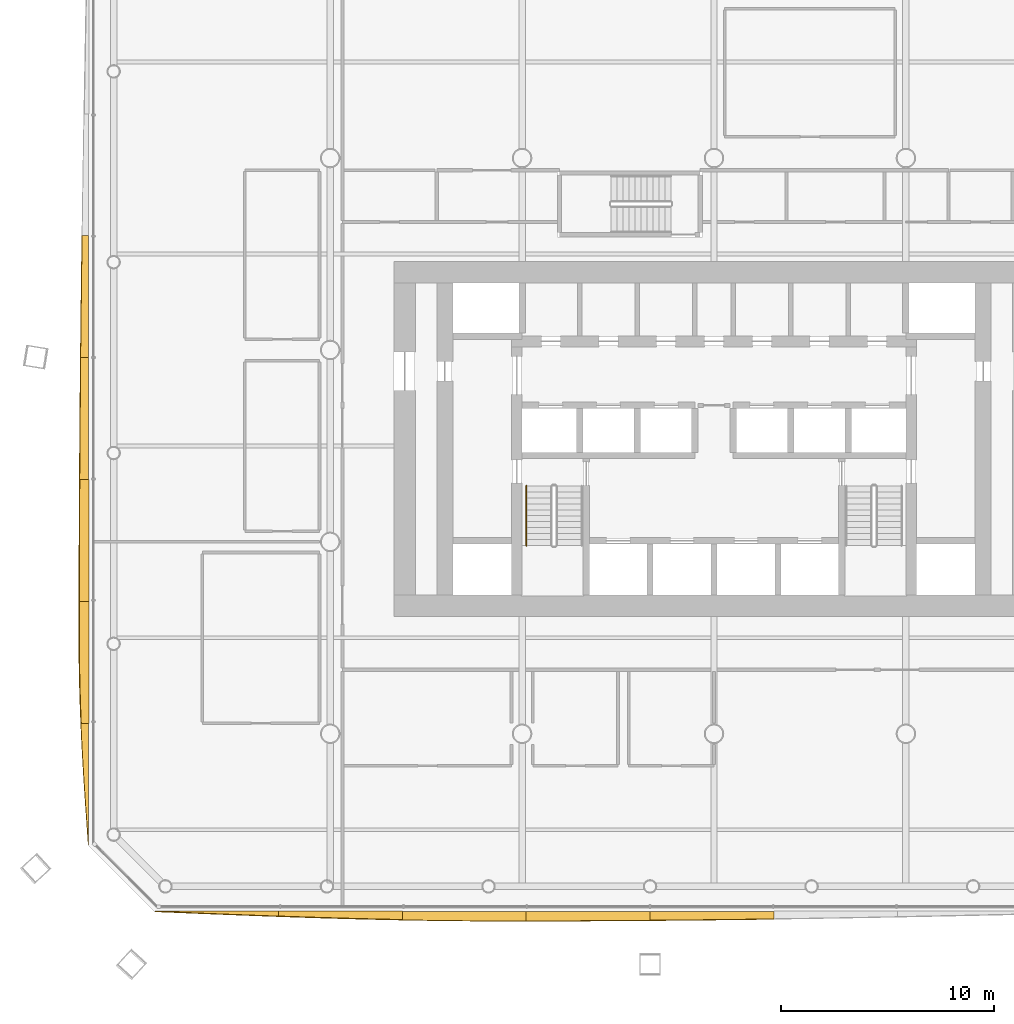
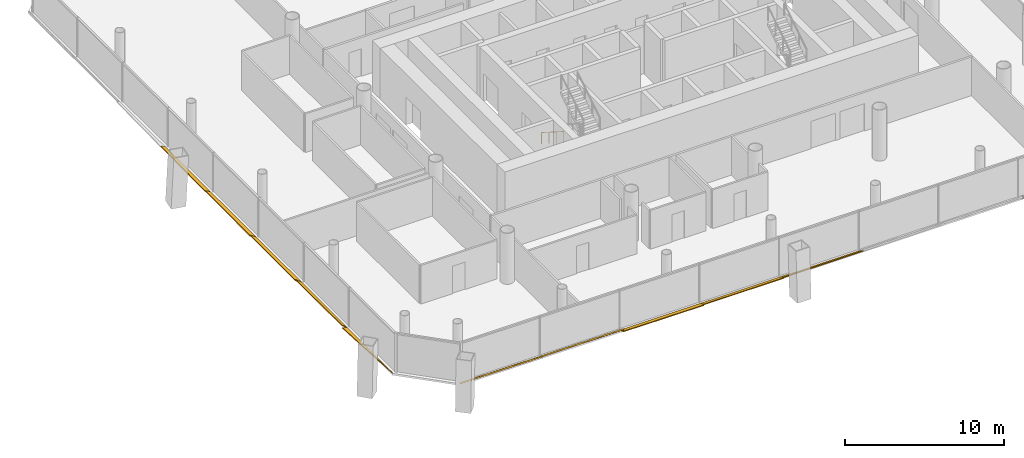
# One storey, part 16 of 20: 10 shading devices, 1 railing.
"""IFC4 building model written with IfcOpenShell, lengths in metres."""

from ifc_helpers import new_model, si_unit, direction, frame, origin, origin_2d, place, context, subcontext, project, spatial, polyline, circle, outline, extrude, material, layer, layer_set, type_object, element, save


model = new_model("IFC4")

# Units and contexts
model_context = context("Model", 3, precision=1e-05, world=origin(), true_north=direction((0.0, 1.0)))
body_context = subcontext(model_context, "Body", "Model", "MODEL_VIEW")
ifc_project = project(units=[si_unit("LENGTHUNIT", "METRE"), si_unit("AREAUNIT", "SQUARE_METRE"), si_unit("VOLUMEUNIT", "CUBIC_METRE"), si_unit("PLANEANGLEUNIT", "RADIAN"), si_unit("MASSUNIT", "GRAM", prefix="KILO")], contexts=[model_context])

# Site, building, storey
site_placement = place(None, origin())
site = spatial("IfcSite", under=ifc_project, at=site_placement, CompositionType="ELEMENT")
building_placement = place(site_placement, origin())
building = spatial("IfcBuilding", under=site, at=building_placement, Name="Tskaro Facet Tower", CompositionType="ELEMENT")
storey_placement = place(building_placement, frame((0.0, 0.0, 53.699951171875)))
storey = spatial("IfcBuildingStorey", under=building, at=storey_placement, Name="L12", CompositionType="ELEMENT", Elevation=53.699951171875)

# Shading devices
ifc_material_1 = material(Name="Bronze anodised aluminium 6063-T6", Category="aluminium")
ifc_layer = layer(ifc_material_1, 0.06005859375, Name="Bronze anodised aluminium 6063-T6")
ifc_layer_set = layer_set([ifc_layer], Name="Bronze anodised aluminium 6063-T6")
shading_device_type = type_object("IfcShadingDeviceType", Name="Bronze sun blade (FN1)", PredefinedType="USERDEFINED", material=ifc_layer_set)
shading_device_1_placement = place(storey_placement, frame((-26.22607421875, -26.322509765625, 0.04931640625), z_axis=(-1.8034011e-05, 0.572818330832, 0.819682352828), x_axis=(0.999999999837, 1.0330212e-05, 1.478216e-05)))
element("IfcShadingDevice", 1, at=shading_device_1_placement, inside=storey, type_object=shading_device_type, Name="Fin blade south 1", ObjectType="FIN", PredefinedType="USERDEFINED", context=body_context, shape_type="SweptSolid", body=[
    extrude(outline(polyline([(0.0, 0.0), (5.806640624055767, 0.0), (5.806640625852252, -0.27945089652455335), (5.080810549554476, -0.24734956133431812), (4.354980469995995, -0.21422832818225201), (3.629150389698834, -0.1798870793064016), (2.9033203108367975, -0.1450057466813208), (2.177490232322981, -0.10924436431973264), (1.4516601527222635, -0.07314301597086753), (0.7258300781655946, -0.03664143209809552), (0.0, 0.0)])), origin(), (0.0, 0.0, -1.0), 0.06005859375),
])
shading_device_2_placement = place(storey_placement, frame((-20.41943359375, -26.318359375, 0.0458984375), z_axis=(-1.568522e-06, 0.642946644634, 0.765910968815), x_axis=(0.999999999999, 1.008476e-06, 1.201348e-06)))
element("IfcShadingDevice", 2, at=shading_device_2_placement, inside=storey, type_object=shading_device_type, Name="Fin blade south 2", ObjectType="FIN", PredefinedType="USERDEFINED", context=body_context, shape_type="SweptSolid", body=[
    extrude(outline(polyline([(0.0, 0.0), (5.806396484367857, 6.147761408858955e-22), (5.806396484320247, -0.5119006574429698), (5.080566406256755, -0.49248882932427873), (4.354736328156945, -0.47082625495326313), (3.628906250020816, -0.44691293432992285), (2.903076171848369, -0.420748867454258), (2.1774902343587805, -0.3930219730828364), (1.4516601562549627, -0.363388291837374), (0.7258300781619147, -0.3318478237178709), (-1.1948501751001235e-10, -0.29893151808523216), (0.0, 0.0)])), origin(), (0.0, 0.0, -1.0), 0.06005859375),
])
shading_device_3_placement = place(storey_placement, frame((-14.613037109375, -26.33642578125, 0.056396484375), z_axis=(7.709223e-06, 0.341983384237, 0.939705999154), x_axis=(0.99999999997, -2.636426e-06, -7.244404e-06)))
element("IfcShadingDevice", 3, at=shading_device_3_placement, inside=storey, type_object=shading_device_type, Name="Fin blade south 3", ObjectType="FIN", PredefinedType="USERDEFINED", context=body_context, shape_type="SweptSolid", body=[
    extrude(outline(polyline([(0.0, 0.0), (5.80664062482745, -2.4592079611201513e-21), (5.80664062463201, -0.4718157010503164), (5.202636719043618, -0.472045121460273), (5.080810547172238, -0.472045121460273), (4.35498046874416, -0.4705016149261941), (3.6291503904727715, -0.4668722690009535), (2.9033203123580735, -0.4611570836845512), (2.177490234400064, -0.45335605897698716), (1.4516601559550857, -0.44323977446830487), (0.7258300783104554, -0.4312670709784174), (-9.461385800561412e-10, -0.4172920201345379), (0.0, 0.0)])), origin(), (0.0, 0.0, -1.0), 0.06005859375),
])
shading_device_4_placement = place(storey_placement, frame((-8.806396484375, -26.33154296875, 0.054443359375), z_axis=(-5.3574e-08, 0.422569808883, 0.906330379399), x_axis=(1.0, 2.2639e-08, 4.8556e-08)))
element("IfcShadingDevice", 4, at=shading_device_4_placement, inside=storey, type_object=shading_device_type, Name="Fin blade south 4", ObjectType="FIN", PredefinedType="USERDEFINED", context=body_context, shape_type="SweptSolid", body=[
    extrude(outline(polyline([(0.0, 0.0), (5.806396484374992, 0.0), (5.806396484378863, -0.4614690471697035), (5.080566406250813, -0.4673686971783941), (4.354736328121962, -0.47272263659927216), (3.628906250003366, -0.47708832130177203), (2.9030761718665885, -0.4810264010244955), (2.1772460937519185, -0.48407939248608756), (1.451416015624594, -0.4864835069026204), (0.7258300781269958, -0.4881206386660578), (3.5976353303996962e-12, -0.48921205984168276), (0.0, 0.0)])), origin(), (0.0, 0.0, -1.0), 0.06005859375),
])
shading_device_5_placement = place(storey_placement, frame((-3.0, -26.326904296875, 0.052001953125), z_axis=(9.71256e-06, 0.500000821504, 0.866024929434), x_axis=(0.999999999953, -4.856288e-06, -8.411319e-06)))
element("IfcShadingDevice", 5, at=shading_device_5_placement, inside=storey, type_object=shading_device_type, Name="Fin blade south 5", ObjectType="FIN", PredefinedType="USERDEFINED", context=body_context, shape_type="SweptSolid", body=[
    extrude(outline(polyline([(0.0, 0.0), (5.80639648410113, 0.0), (5.806396485297059, -0.4084157250014573), (5.080566406531526, -0.42001412388454484), (4.3549804680732915, -0.431067588519469), (3.6291503907259233, -0.44145404839316166), (2.903320311875249, -0.4510841421511433), (2.1774902347604295, -0.4600472311478935), (1.4516601561423028, -0.46825395402893266), (0.7258300772064867, -0.47591574266180847), (6.525686663622429e-12, -0.4829105265334528), (0.0, 0.0)])), origin(), (0.0, 0.0, -1.0), 0.06005859375),
])
shading_device_6_placement = place(storey_placement, frame((-29.33154296875, 5.3583984375, 0.054443359375), z_axis=(0.422532283116, -1.3042186e-05, 0.906347874469), x_axis=(-5.510745e-06, -0.999999999915, -1.1820758e-05)))
element("IfcShadingDevice", 6, at=shading_device_6_placement, inside=storey, type_object=shading_device_type, Name="Fin blade west 4", ObjectType="FIN", PredefinedType="USERDEFINED", context=body_context, shape_type="SweptSolid", body=[
    extrude(outline(polyline([(0.0, 0.0), (5.716796874513791, 4.842315305885424e-21), (5.716796875694864, -0.411012526825812), (5.0021972637309275, -0.4024874819162403), (4.28759765619345, -0.3935348460787268), (3.572998047310574, -0.3843609339046541), (2.858398435736905, -0.3747444690574631), (2.1437988285896945, -0.36470041328233027), (1.4291992200970867, -0.3544350811706383), (0.7145996089136859, -0.34372719638582805), (-7.2918445109294e-10, -0.33269487796876723), (0.0, 0.0)])), origin(), (0.0, 0.0, -1.0), 0.06005859375),
])
shading_device_7_placement = place(storey_placement, frame((-29.326904296875, -0.3583984375, 0.052001953125), z_axis=(0.499931085091, -2.424841e-06, 0.866065188166), x_axis=(-1.212254e-06, -0.999999999997, -2.100071e-06)))
element("IfcShadingDevice", 7, at=shading_device_7_placement, inside=storey, type_object=shading_device_type, Name="Fin blade west 5", ObjectType="FIN", PredefinedType="USERDEFINED", context=body_context, shape_type="SweptSolid", body=[
    extrude(outline(polyline([(0.0, 0.0), (5.717041015608193, 0.0), (5.717041015615612, -0.485423767726805), (5.002441406259304, -0.48006378713324327), (4.2878417968237885, -0.4741588696594495), (3.573242187605025, -0.467920457001754), (2.8586425777943414, -0.46125916095139785), (2.1440429687131215, -0.45414231622956847), (1.429199218927695, -0.44648053462750703), (0.7145996094713074, -0.43860731132911535), (-6.428844549486658e-11, -0.43018915115049156), (0.0, 0.0)])), origin(), (0.0, 0.0, -1.0), 0.06005859375),
])
shading_device_8_placement = place(storey_placement, frame((-29.322509765625, -6.075439453125, 0.04931640625), z_axis=(0.573357831266, 1.87187e-07, 0.819305069755), x_axis=(1.07325e-07, -1.0, 1.53363e-07)))
element("IfcShadingDevice", 8, at=shading_device_8_placement, inside=storey, type_object=shading_device_type, Name="Fin blade west 6", ObjectType="FIN", PredefinedType="USERDEFINED", context=body_context, shape_type="SweptSolid", body=[
    extrude(outline(polyline([(0.0, 0.0), (5.7167968749999, 0.0), (5.716796874997818, -0.5399410440529835), (5.002197265630276, -0.5381809703851141), (4.287597656225292, -0.5362809167779709), (3.572998046861473, -0.5336408062761668), (2.858398437512617, -0.5304606645314976), (2.1437988281525207, -0.526940517195759), (1.429199218743743, -0.5229403843296767), (0.7145996093761301, -0.5182001945689337), (-2.7226318468284703e-12, -0.5131199992171213), (0.0, 0.0)])), origin(), (0.0, 0.0, -1.0), 0.06005859375),
])
shading_device_9_placement = place(storey_placement, frame((-29.318359375, -11.792236328125, 0.0458984375), z_axis=(0.64280498557, 1.6363047e-05, 0.766029862511), x_axis=(1.0518248e-05, -0.999999999866, 1.2534583e-05)))
element("IfcShadingDevice", 9, at=shading_device_9_placement, inside=storey, type_object=shading_device_type, Name="Fin blade west 7", ObjectType="FIN", PredefinedType="USERDEFINED", context=body_context, shape_type="SweptSolid", body=[
    extrude(outline(polyline([(0.0, 0.0), (5.716796874234666, 0.0), (5.7167968759826815, -0.46285513623769314), (5.002197263094822, -0.4999590370029327), (4.287597654678046, -0.5302806277746053), (3.5729980476721517, -0.5536629737417595), (2.8583984385246692, -0.569605186273066), (2.1437988267433297, -0.5777633115481463), (1.7380371100167273, -0.5791391268296596), (1.429199219433073, -0.5791391268296596), (0.7145996091692015, -0.578451219188903), (-1.5869392677905945e-09, -0.577419357727768), (0.0, 0.0)])), origin(), (0.0, 0.0, -1.0), 0.06005859375),
])
shading_device_10_placement = place(storey_placement, frame((-29.33642578125, -17.509033203125, 0.056396484375), z_axis=(0.342038467889, -1.7649438e-05, 0.939685950822), x_axis=(-6.036787e-06, -0.999999999844, -1.6584929e-05)))
element("IfcShadingDevice", 10, at=shading_device_10_placement, inside=storey, type_object=shading_device_type, Name="Fin blade west 8", ObjectType="FIN", PredefinedType="USERDEFINED", context=body_context, shape_type="SweptSolid", body=[
    extrude(outline(polyline([(0.0, 0.0), (5.717041014734564, 0.0), (5.002441403196861, -0.05460718059935417), (4.287841795335793, -0.10835910368191373), (3.5732421882037118, -0.16079693821693242), (2.8586425799543704, -0.21091951665758005), (2.143798827015158, -0.25826800797311034), (1.429199219835514, -0.30213306467676426), (0.7145996093199461, -0.34190994570775995), (-1.9563153071978584e-09, -0.37728573006538674), (0.0, 0.0)])), origin(), (0.0, 0.0, -1.0), 0.06005859375),
])

# Railing
ifc_material_2 = material(Name="Stainless steel", Category="steel")
railing_type = type_object("IfcRailingType", Name="RL-HANDRAIL-900", PredefinedType="HANDRAIL", material=ifc_material_2)
railing_placement = place(storey_placement, frame((-8.800048828125, -6.375, 0.17724609375)))
element("IfcRailing", 11, at=railing_placement, inside=storey, type_object=railing_type, Name="L12 ST-1 stair handrail 1", PredefinedType="HANDRAIL", context=body_context, shape_type="SweptSolid", body=[
    extrude(circle(Radius=0.02392578125, at=origin_2d()), frame((0.0, 0.0, 0.8759765625), z_axis=(0.0, -0.844908973607, 0.534910110503), x_axis=(1.0, 0.0, 0.0)), (0.0, 0.0, 1.0), 3.31396484375),
    extrude(circle(Radius=0.02099609375, at=origin_2d()), origin(), (0.0, 0.0, 1.0), 0.851806640625),
    extrude(circle(Radius=0.02099609375, at=origin_2d()), frame((0.0, -0.933349609375, 0.5908203125)), (0.0, 0.0, 1.0), 0.851806640625),
    extrude(circle(Radius=0.02099609375, at=origin_2d()), frame((0.0, -1.86669921875, 1.181884765625)), (0.0, 0.0, 1.0), 0.851806640625),
    extrude(circle(Radius=0.02099609375, at=origin_2d()), frame((0.0, -2.800048828125, 1.772705078125)), (0.0, 0.0, 1.0), 0.851806640625),
])

save(model, "model.ifc")
